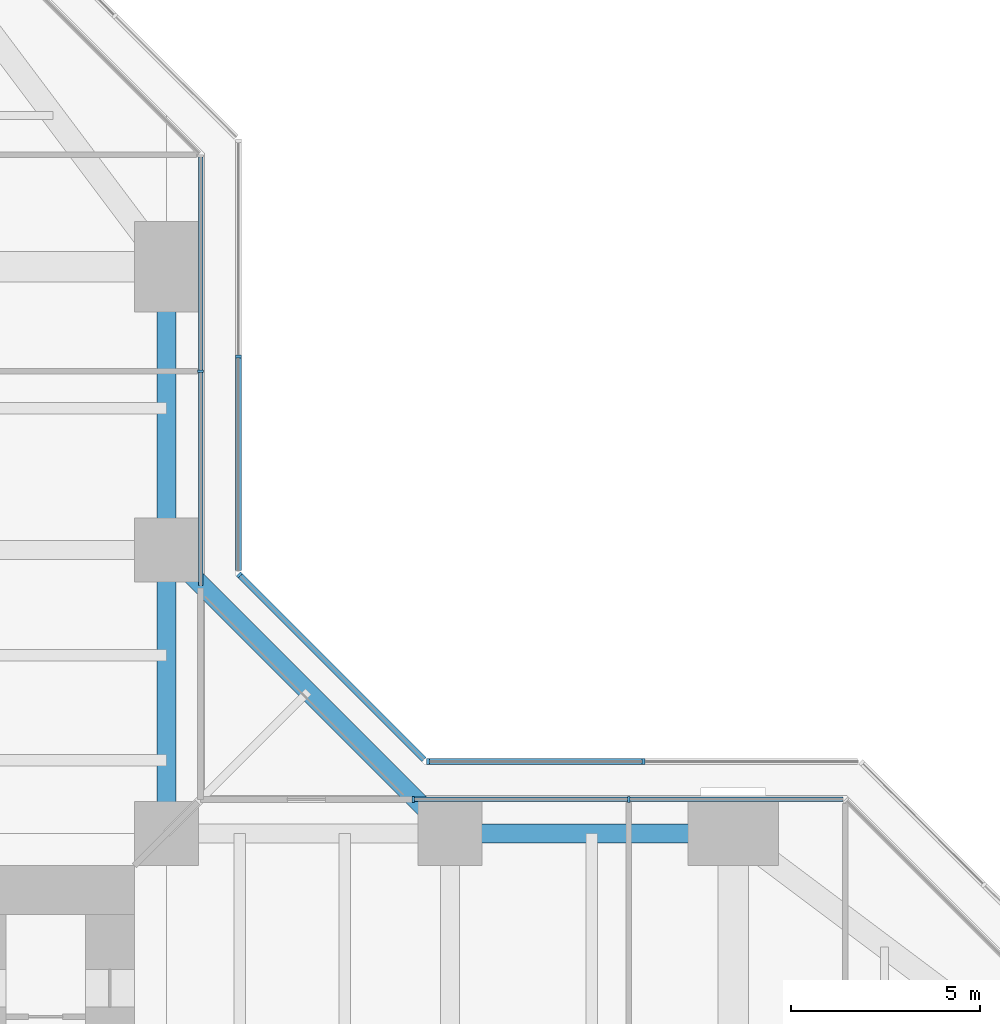
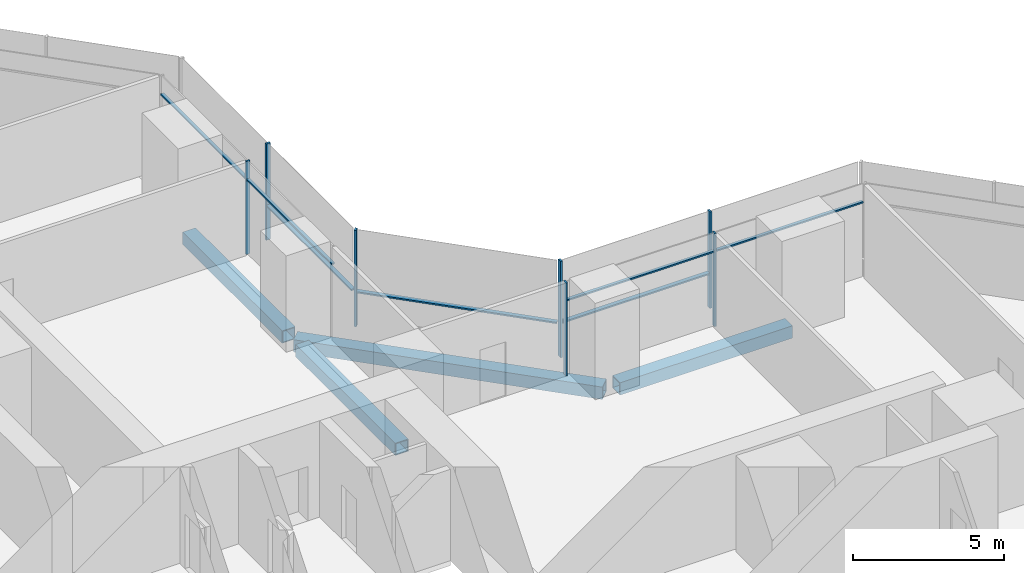
# One storey, part 11 of 22: 14 members, 4 beams, 5 elements without a shape of their own.
"""IFC4 building model written with IfcOpenShell, lengths in metres."""

from ifc_helpers import new_model, si_unit, direction, frame, origin, origin_2d, place, context, subcontext, project, spatial, rectangle, hollow_rectangle, extrude, material, material_profile, profile_set, type_object, element, aggregate, save


model = new_model("IFC4")

# Units and contexts
model_context = context("Model", 3, precision=1e-05, world=origin(), true_north=direction((0.0, 1.0)))
body_context = subcontext(model_context, "Body", "Model", "MODEL_VIEW")
ifc_project = project(units=[si_unit("LENGTHUNIT", "METRE"), si_unit("AREAUNIT", "SQUARE_METRE"), si_unit("VOLUMEUNIT", "CUBIC_METRE"), si_unit("PLANEANGLEUNIT", "RADIAN"), si_unit("MASSUNIT", "GRAM", prefix="KILO")], contexts=[model_context])

# Site, building, storey
site_placement = place(None, origin())
site = spatial("IfcSite", under=ifc_project, at=site_placement, CompositionType="ELEMENT")
building_placement = place(site_placement, origin())
building = spatial("IfcBuilding", under=site, at=building_placement, Name="Mizan Broadcast Tower", CompositionType="ELEMENT")
storey_placement = place(building_placement, frame((0.0, 0.0, 109.800048828125)))
storey = spatial("IfcBuildingStorey", under=building, at=storey_placement, Name="L24", CompositionType="ELEMENT", Elevation=109.800048828125)

# Beams
ifc_material_1 = material(Name="Steel S355", Category="steel")
ifc_material_profile_1 = material_profile(ifc_material_1, hollow_rectangle(XDim=0.5, YDim=0.5, WallThickness=0.030029296875, at=origin_2d()), Name="BOX 500x500x30")
ifc_profile_set_1 = profile_set([ifc_material_profile_1], Name="Steel S355")
beam_type = type_object("IfcBeamType", Name="EDGE BEAM BOX 500x500x30", PredefinedType="SPANDREL", material=ifc_profile_set_1)
for number, where, z_axis, x_axis, name in (
    (1, (19.949951171875, 12.0, -0.380126953125), (1.0, 0.0, 0.0), (0.0, 1.0, 0.0), "Edge beam BOX 500x500x30 L24 east arm"),
    (2, (12.0, 12.449951171875, -0.380126953125), (0.0, 1.0, 0.0), (-1.0, 0.0, 0.0), "Edge beam BOX 500x500x30 L24 north arm"),
    (3, (12.0, 19.949951171875, -0.380126953125), (0.0, 1.0, 0.0), (-1.0, 0.0, 0.0), "Edge beam BOX 500x500x30 L24 north arm"),
):
    element("IfcBeam", number, at=place(storey_placement, frame(where, z_axis=z_axis, x_axis=x_axis)), inside=storey, type_object=beam_type, Name=name, PredefinedType="SPANDREL", context=body_context, shape_type="SweptSolid", body=[
        extrude(hollow_rectangle(XDim=0.5, YDim=0.5, WallThickness=0.030029296875, at=origin_2d()), origin(), (0.0, 0.0, 1.0), 6.60009765625),
    ])
beam_placement = place(storey_placement, frame((19.5, 12.0, -0.380126953125), z_axis=(-0.707106781187, 0.707106781187, 0.0), x_axis=(-0.707106781187, -0.707106781187, 0.0)))
element("IfcBeam", 4, at=beam_placement, inside=storey, type_object=beam_type, Name="Winter garden edge beam L24 E", PredefinedType="SPANDREL", context=body_context, shape_type="SweptSolid", body=[
    extrude(hollow_rectangle(XDim=0.5, YDim=0.5, WallThickness=0.030029296875, at=origin_2d()), origin(), (0.0, 0.0, 1.0), 10.606689453125),
])

# Curtain wall, members
ifc_material_2 = material(Name="Aluminium framed glazing", Category="aluminium")
curtain_wall_type_1 = type_object("IfcCurtainWallType", Name="INNER SKIN LOW ZONE", PredefinedType="USERDEFINED", material=ifc_material_2)
curtain_wall_1_placement = place(storey_placement, origin())
curtain_wall_1 = element("IfcCurtainWall", 5, at=curtain_wall_1_placement, inside=storey, type_object=curtain_wall_type_1, Name="Inner skin low zone L24 E side", ObjectType="INNER SKIN LOW ZONE", PredefinedType="USERDEFINED")
ifc_material_3 = material(Name="Aluminium, pale anodised", Category="aluminium")
ifc_material_profile_2 = material_profile(ifc_material_3, rectangle(XDim=0.159912109375, YDim=0.06005859375, at=origin_2d()), Name="MULLION 160x60")
ifc_profile_set_2 = profile_set([ifc_material_profile_2], Name="Aluminium, pale anodised")
member_type_1 = type_object("IfcMemberType", Name="INNER SKIN MULLION 60x160", PredefinedType="MULLION", material=ifc_profile_set_2)
member_1_placement = place(storey_placement, frame((24.229248046875, 12.89990234375, 0.0), z_axis=(0.0, 0.0, 1.0), x_axis=(0.0, -1.0, 0.0)))
member_1 = element("IfcMember", 6, at=member_1_placement, type_object=member_type_1, Name="Inner skin low zone L24 E side mullion 2", PredefinedType="MULLION", context=body_context, shape_type="SweptSolid", body=[
    extrude(rectangle(XDim=0.159912109375, YDim=0.06005859375, at=origin_2d()), origin(), (0.0, 0.0, 1.0), 3.77001953125),
])
member_2_placement = place(storey_placement, frame((18.530029296875, 12.89990234375, 0.0), z_axis=(0.0, 0.0, 1.0), x_axis=(0.0, -1.0, 0.0)))
member_2 = element("IfcMember", 7, at=member_2_placement, type_object=member_type_1, Name="Inner skin low zone L24 E side mullion 3", PredefinedType="MULLION", context=body_context, shape_type="SweptSolid", body=[
    extrude(rectangle(XDim=0.159912109375, YDim=0.06005859375, at=origin_2d()), origin(), (0.0, 0.0, 1.0), 3.77001953125),
])

# Curtain wall, member
curtain_wall_2_placement = place(storey_placement, origin())
curtain_wall_2 = element("IfcCurtainWall", 8, at=curtain_wall_2_placement, inside=storey, type_object=curtain_wall_type_1, Name="Inner skin low zone L24 N side", ObjectType="INNER SKIN LOW ZONE", PredefinedType="USERDEFINED")
member_3_placement = place(storey_placement, frame((12.89990234375, 24.229248046875, 0.0), z_axis=(0.0, 0.0, 1.0), x_axis=(-1.0, 0.0, 0.0)))
member_3 = element("IfcMember", 9, at=member_3_placement, type_object=member_type_1, Name="Inner skin low zone L24 N side mullion 2", PredefinedType="MULLION", context=body_context, shape_type="SweptSolid", body=[
    extrude(rectangle(XDim=0.159912109375, YDim=0.06005859375, at=origin_2d()), origin(), (0.0, 0.0, 1.0), 3.77001953125),
])

# Member
ifc_material_4 = material(Name="Aluminium, pale anodised", Category="aluminium")
ifc_material_profile_3 = material_profile(ifc_material_4, rectangle(XDim=0.1201171875, YDim=0.06005859375, at=origin_2d()), Name="TRANSOM 120x60")
ifc_profile_set_3 = profile_set([ifc_material_profile_3], Name="Aluminium, pale anodised")
member_type_2 = type_object("IfcMemberType", Name="INNER SKIN TRANSOM 60x120", PredefinedType="USERDEFINED", material=ifc_profile_set_3)
member_4_placement = place(storey_placement, frame((29.898681640625, 12.89990234375, 3.030029296875), z_axis=(-1.0, 0.0, 0.0), x_axis=(0.0, -1.0, 0.0)))
member_4 = element("IfcMember", 10, at=member_4_placement, type_object=member_type_2, Name="Inner skin low zone L24 E side transom 1.1", ObjectType="TRANSOM", PredefinedType="USERDEFINED", context=body_context, shape_type="SweptSolid", body=[
    extrude(rectangle(XDim=0.1201171875, YDim=0.06005859375, at=origin_2d()), origin(), (0.0, 0.0, 1.0), 5.639404296875),
])

member_5_placement = place(storey_placement, frame((24.19921875, 12.89990234375, 3.030029296875), z_axis=(-1.0, 0.0, 0.0), x_axis=(0.0, -1.0, 0.0)))
member_5 = element("IfcMember", 11, at=member_5_placement, type_object=member_type_2, Name="Inner skin low zone L24 E side transom 2.1", ObjectType="TRANSOM", PredefinedType="USERDEFINED", context=body_context, shape_type="SweptSolid", body=[
    extrude(rectangle(XDim=0.1201171875, YDim=0.06005859375, at=origin_2d()), origin(), (0.0, 0.0, 1.0), 5.63916015625),
])

aggregate(curtain_wall_1, [member_1, member_2, member_4, member_5])

member_6_placement = place(storey_placement, frame((12.89990234375, 18.56005859375, 3.030029296875), z_axis=(0.0, 1.0, 0.0), x_axis=(-1.0, 0.0, 0.0)))
member_6 = element("IfcMember", 12, at=member_6_placement, type_object=member_type_2, Name="Inner skin low zone L24 N side transom 1.1", ObjectType="TRANSOM", PredefinedType="USERDEFINED", context=body_context, shape_type="SweptSolid", body=[
    extrude(rectangle(XDim=0.1201171875, YDim=0.06005859375, at=origin_2d()), origin(), (0.0, 0.0, 1.0), 5.63916015625),
])

member_7_placement = place(storey_placement, frame((12.89990234375, 24.25927734375, 3.030029296875), z_axis=(0.0, 1.0, 0.0), x_axis=(-1.0, 0.0, 0.0)))
member_7 = element("IfcMember", 13, at=member_7_placement, type_object=member_type_2, Name="Inner skin low zone L24 N side transom 2.1", ObjectType="TRANSOM", PredefinedType="USERDEFINED", context=body_context, shape_type="SweptSolid", body=[
    extrude(rectangle(XDim=0.1201171875, YDim=0.06005859375, at=origin_2d()), origin(), (0.0, 0.0, 1.0), 5.639404296875),
])

aggregate(curtain_wall_2, [member_3, member_6, member_7])

# Curtain wall, members
ifc_material_5 = material(Name="Aluminium framed glazing", Category="aluminium")
curtain_wall_type_2 = type_object("IfcCurtainWallType", Name="OUTER SKIN", PredefinedType="USERDEFINED", material=ifc_material_5)
curtain_wall_3_placement = place(storey_placement, origin())
curtain_wall_3 = element("IfcCurtainWall", 14, at=curtain_wall_3_placement, inside=storey, type_object=curtain_wall_type_2, Name="Outer skin L24 E side", ObjectType="OUTER SKIN", PredefinedType="USERDEFINED")
ifc_material_6 = material(Name="Aluminium, pale anodised", Category="aluminium")
ifc_material_profile_4 = material_profile(ifc_material_6, rectangle(XDim=0.159912109375, YDim=0.080078125, at=origin_2d()), Name="MULLION 160x80")
ifc_profile_set_4 = profile_set([ifc_material_profile_4], Name="Aluminium, pale anodised")
member_type_3 = type_object("IfcMemberType", Name="OUTER SKIN MULLION 80x160", PredefinedType="MULLION", material=ifc_profile_set_4)
member_8_placement = place(storey_placement, frame((24.622802734375, 13.89990234375, 0.0), z_axis=(0.0, 0.0, 1.0), x_axis=(0.0, -1.0, 0.0)))
member_8 = element("IfcMember", 15, at=member_8_placement, type_object=member_type_3, Name="Outer skin L24 E side mullion 2", PredefinedType="MULLION", context=body_context, shape_type="SweptSolid", body=[
    extrude(rectangle(XDim=0.159912109375, YDim=0.080078125, at=origin_2d()), origin(), (0.0, 0.0, 1.0), 3.89990234375),
])
member_9_placement = place(storey_placement, frame((18.912841796875, 13.89990234375, 0.0), z_axis=(0.0, 0.0, 1.0), x_axis=(0.0, -1.0, 0.0)))
member_9 = element("IfcMember", 16, at=member_9_placement, type_object=member_type_3, Name="Outer skin L24 E side mullion 3", PredefinedType="MULLION", context=body_context, shape_type="SweptSolid", body=[
    extrude(rectangle(XDim=0.159912109375, YDim=0.080078125, at=origin_2d()), origin(), (0.0, 0.0, 1.0), 3.89990234375),
])

# Curtain wall, member
curtain_wall_4_placement = place(storey_placement, origin())
curtain_wall_4 = element("IfcCurtainWall", 17, at=curtain_wall_4_placement, inside=storey, type_object=curtain_wall_type_2, Name="Outer skin L24 E chamfer", ObjectType="OUTER SKIN", PredefinedType="USERDEFINED")
member_10_placement = place(storey_placement, frame((13.92822265625, 18.844482421875, 0.0), z_axis=(0.0, 0.0, 1.0), x_axis=(-0.707106781187, -0.707106781187, 0.0)))
member_10 = element("IfcMember", 18, at=member_10_placement, type_object=member_type_3, Name="Outer skin L24 E chamfer mullion 2", PredefinedType="MULLION", context=body_context, shape_type="SweptSolid", body=[
    extrude(rectangle(XDim=0.159912109375, YDim=0.080078125, at=origin_2d()), origin(), (0.0, 0.0, 1.0), 3.89990234375),
])

curtain_wall_5_placement = place(storey_placement, origin())
curtain_wall_5 = element("IfcCurtainWall", 19, at=curtain_wall_5_placement, inside=storey, type_object=curtain_wall_type_2, Name="Outer skin L24 N side", ObjectType="OUTER SKIN", PredefinedType="USERDEFINED")
member_11_placement = place(storey_placement, frame((13.89990234375, 24.622802734375, 0.0), z_axis=(0.0, 0.0, 1.0), x_axis=(-1.0, 0.0, 0.0)))
member_11 = element("IfcMember", 20, at=member_11_placement, type_object=member_type_3, Name="Outer skin L24 N side mullion 2", PredefinedType="MULLION", context=body_context, shape_type="SweptSolid", body=[
    extrude(rectangle(XDim=0.159912109375, YDim=0.080078125, at=origin_2d()), origin(), (0.0, 0.0, 1.0), 3.89990234375),
])

# Member
ifc_material_7 = material(Name="Aluminium, pale anodised", Category="aluminium")
ifc_material_profile_5 = material_profile(ifc_material_7, rectangle(XDim=0.159912109375, YDim=0.06005859375, at=origin_2d()), Name="TRANSOM 160x60")
ifc_profile_set_5 = profile_set([ifc_material_profile_5], Name="Aluminium, pale anodised")
member_type_4 = type_object("IfcMemberType", Name="OUTER SKIN TRANSOM 60x160", PredefinedType="USERDEFINED", material=ifc_profile_set_5)
member_12_placement = place(storey_placement, frame((24.582763671875, 13.89990234375, 1.39990234375), z_axis=(-1.0, 0.0, 0.0), x_axis=(0.0, -1.0, 0.0)))
member_12 = element("IfcMember", 21, at=member_12_placement, type_object=member_type_4, Name="Outer skin L24 E side transom 2.1", ObjectType="TRANSOM", PredefinedType="USERDEFINED", context=body_context, shape_type="SweptSolid", body=[
    extrude(rectangle(XDim=0.159912109375, YDim=0.06005859375, at=origin_2d()), origin(), (0.0, 0.0, 1.0), 5.6298828125),
])

aggregate(curtain_wall_3, [member_8, member_9, member_12])

member_13_placement = place(storey_placement, frame((18.816162109375, 13.95654296875, 1.39990234375), z_axis=(-0.707106781187, 0.707106781187, 0.0), x_axis=(-0.707106781187, -0.707106781187, 0.0)))
member_13 = element("IfcMember", 22, at=member_13_placement, type_object=member_type_4, Name="Outer skin L24 E chamfer transom 1.1", ObjectType="TRANSOM", PredefinedType="USERDEFINED", context=body_context, shape_type="SweptSolid", body=[
    extrude(rectangle(XDim=0.159912109375, YDim=0.06005859375, at=origin_2d()), origin(), (0.0, 0.0, 1.0), 6.87255859375),
])

aggregate(curtain_wall_4, [member_10, member_13])

member_14_placement = place(storey_placement, frame((13.89990234375, 18.952880859375, 1.39990234375), z_axis=(0.0, 1.0, 0.0), x_axis=(-1.0, 0.0, 0.0)))
member_14 = element("IfcMember", 23, at=member_14_placement, type_object=member_type_4, Name="Outer skin L24 N side transom 1.1", ObjectType="TRANSOM", PredefinedType="USERDEFINED", context=body_context, shape_type="SweptSolid", body=[
    extrude(rectangle(XDim=0.159912109375, YDim=0.06005859375, at=origin_2d()), origin(), (0.0, 0.0, 1.0), 5.6298828125),
])

aggregate(curtain_wall_5, [member_11, member_14])

save(model, "model.ifc")
